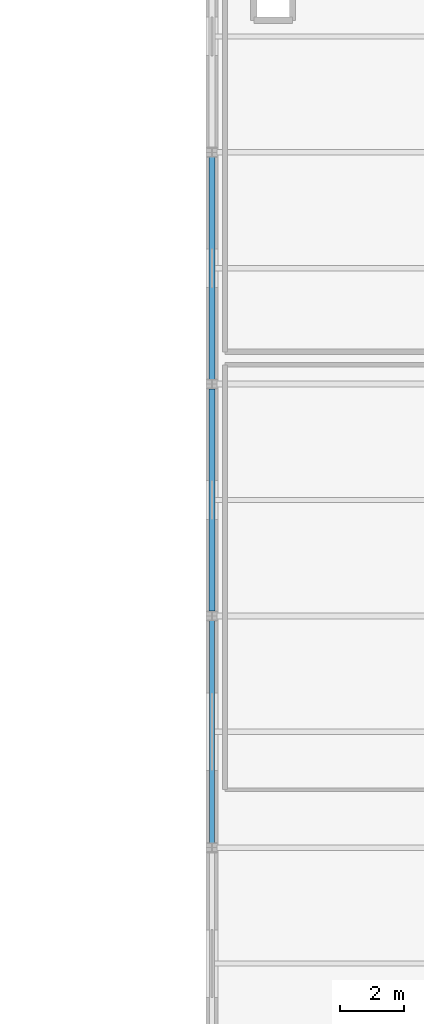
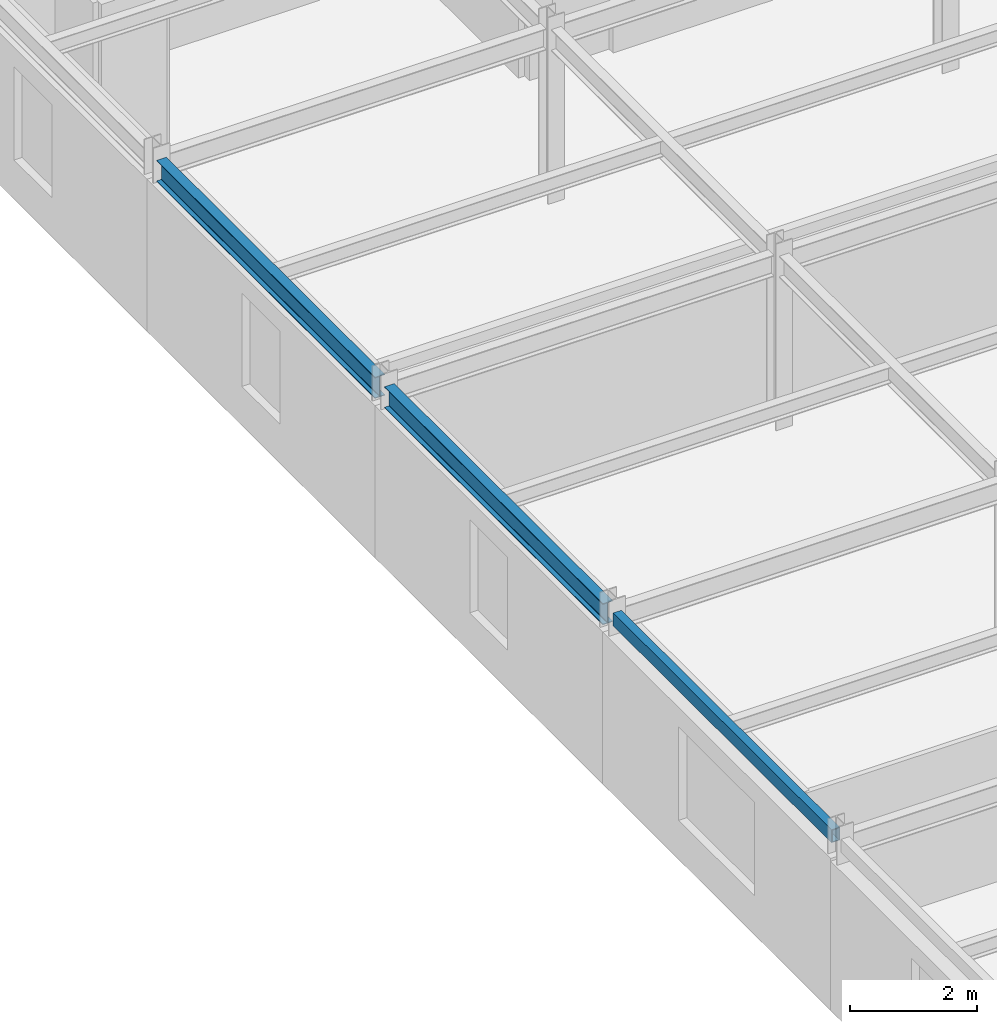
# One storey, part 22 of 73: 3 beams.
"""IFC4 building model written with IfcOpenShell, lengths in metres."""

from ifc_helpers import new_model, si_unit, direction, frame, origin, origin_2d, place, context, subcontext, project, spatial, hollow_rectangle, i_section, extrude, material, material_profile, profile_set, type_object, element, save


model = new_model("IFC4")

# Units and contexts
model_context = context("Model", 3, precision=1e-05, world=origin(), true_north=direction((0.0, 1.0)))
body_context = subcontext(model_context, "Body", "Model", "MODEL_VIEW")
ifc_project = project(units=[si_unit("LENGTHUNIT", "METRE"), si_unit("AREAUNIT", "SQUARE_METRE"), si_unit("VOLUMEUNIT", "CUBIC_METRE"), si_unit("PLANEANGLEUNIT", "RADIAN"), si_unit("MASSUNIT", "GRAM", prefix="KILO")], contexts=[model_context])

# Site, building, storey
site_placement = place(None, origin())
site = spatial("IfcSite", under=ifc_project, at=site_placement, CompositionType="ELEMENT")
building_placement = place(site_placement, origin())
building = spatial("IfcBuilding", under=site, at=building_placement, Name="Carrowvane Square Congress Hotel", CompositionType="ELEMENT")
storey_placement = place(building_placement, frame((0.0, 0.0, 19.199951171875)))
storey = spatial("IfcBuildingStorey", under=building, at=storey_placement, Name="L04", CompositionType="ELEMENT", Elevation=19.199951171875)

# Beams
ifc_material_1 = material(Name="Steel S355", Category="steel")
ifc_material_profile_1 = material_profile(ifc_material_1, hollow_rectangle(XDim=0.14990234375, YDim=0.25, WallThickness=0.012451171875, at=origin_2d()), Name="RHS 250x150x12.5")
ifc_profile_set_1 = profile_set([ifc_material_profile_1], Name="Steel S355")
beam_type_1 = type_object("IfcBeamType", Name="BM-ST-RHS250", PredefinedType="SPANDREL", material=ifc_profile_set_1)
beam_placement = place(storey_placement, frame((126.800048828125, 63.14990234375, 3.22509765625), z_axis=(0.0, 1.0, 0.0), x_axis=(-1.0, 0.0, 0.0)))
element("IfcBeam", 1, at=beam_placement, inside=storey, type_object=beam_type_1, Name="L05 girder 17/J-K", PredefinedType="SPANDREL", context=body_context, shape_type="SweptSolid", body=[
    extrude(hollow_rectangle(XDim=0.14990234375, YDim=0.25, WallThickness=0.012451171875, at=origin_2d()), origin(), (0.0, 0.0, 1.0), 6.900146484375),
])
ifc_material_2 = material(Name="Steel S355", Category="steel")
ifc_material_profile_2 = material_profile(ifc_material_2, i_section(OverallWidth=0.1787109375, OverallDepth=0.409423828125, WebThickness=0.0087890625, FlangeThickness=0.014404296875, FilletRadius=0.01025390625, at=origin_2d()), Name="UKB 406x178x67")
ifc_profile_set_2 = profile_set([ifc_material_profile_2], Name="Steel S355")
beam_type_2 = type_object("IfcBeamType", Name="BM-ST-UKB406", PredefinedType="BEAM", material=ifc_profile_set_2)
for number, where, z_axis, x_axis, name in (
    (2, (126.800048828125, 70.35009765625, 3.145263671875), (0.0, 1.0, 0.0), (-1.0, 0.0, 0.0), "L05 girder 17/K-L"),
    (3, (126.800048828125, 77.550048828125, 3.145263671875), (0.0, 1.0, 0.0), (-1.0, 0.0, 0.0), "L05 girder 17/L-M"),
):
    element("IfcBeam", number, at=place(storey_placement, frame(where, z_axis=z_axis, x_axis=x_axis)), inside=storey, type_object=beam_type_2, Name=name, PredefinedType="BEAM", context=body_context, shape_type="SweptSolid", body=[
        extrude(i_section(OverallWidth=0.1787109375, OverallDepth=0.409423828125, WebThickness=0.0087890625, FlangeThickness=0.014404296875, FilletRadius=0.01025390625, at=origin_2d()), origin(), (0.0, 0.0, 1.0), 6.89990234375),
    ])

save(model, "model.ifc")
